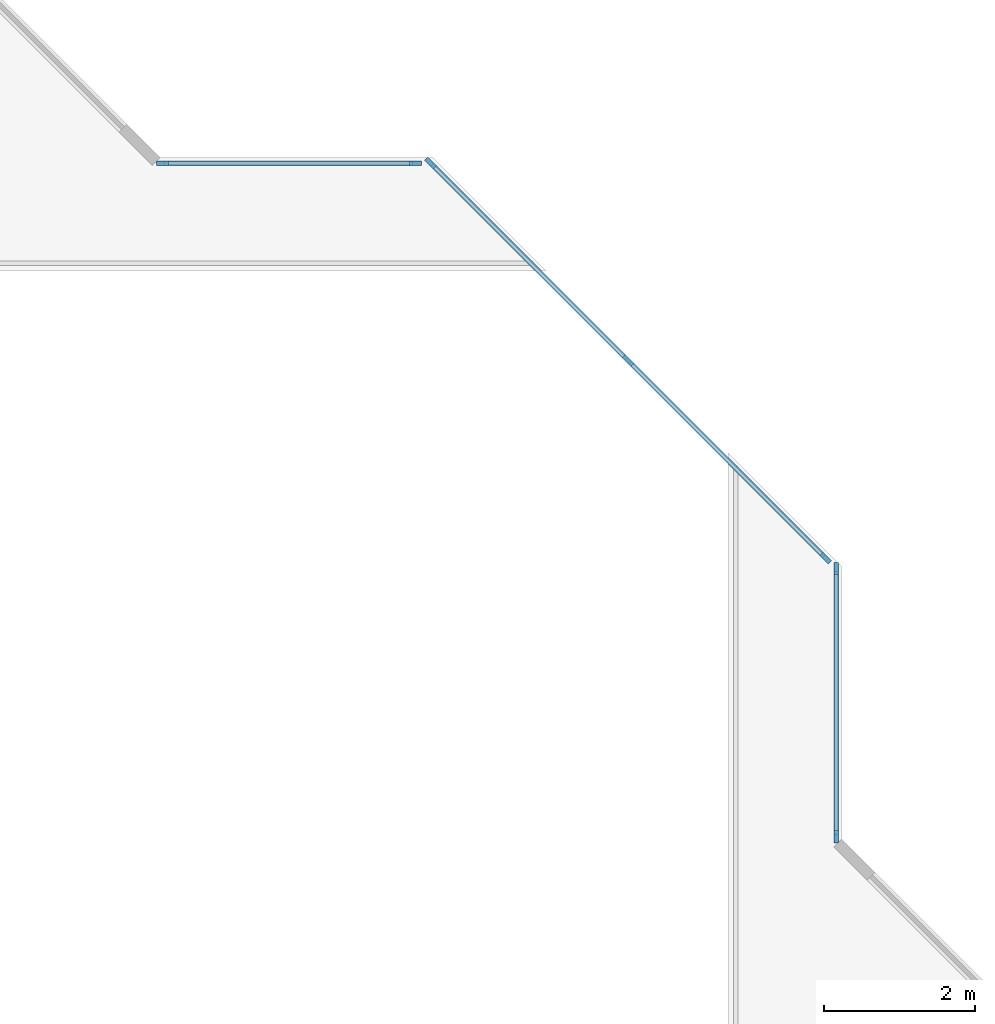
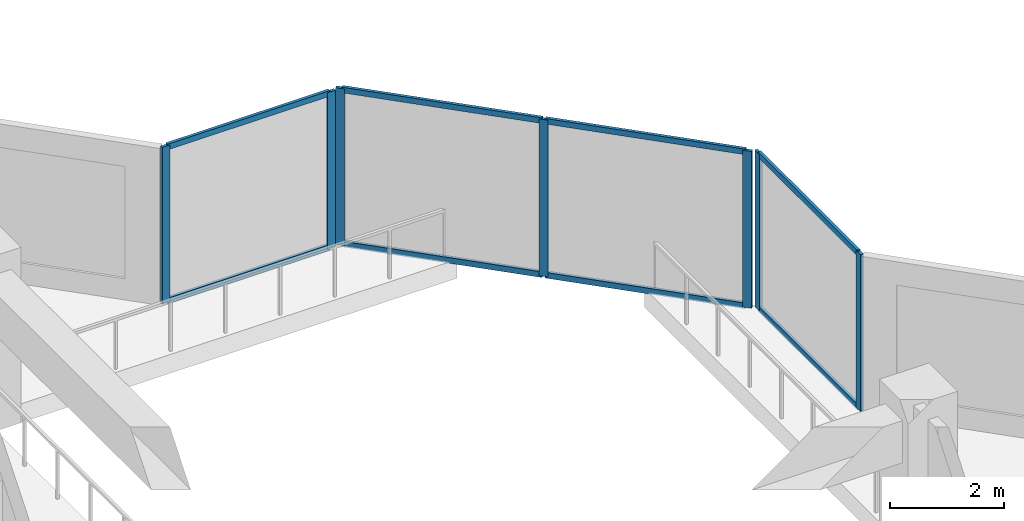
# One storey, part 2 of 15: 15 members, 3 elements without a shape of their own.
"""IFC4 building model written with IfcOpenShell, lengths in metres."""

import ifcopenshell
import ifcopenshell.guid

model = None  # the IFC model being written
_history = None  # IfcOwnerHistory: only IFC2X3 demands one
_inside = {}  # id of a spatial element -> (the spatial element, [elements in it])
_under = {}  # id of a project, library or spatial element -> (it, [spatial elements below it])
_declared = {}  # id of a project -> (the project, [libraries it declares])
_typed = {}  # id of a type object -> (the type object, [elements of that type])
_made_of = {}  # id of a material, layer set ... -> (it, [elements and type objects made of it])


def new_model(schema):
    """Start an empty IFC model of exactly this schema.

    Asked for "IFC4X3", IfcOpenShell would pick the latest addendum, in which some entities
    have other attributes; the version numbers below select the first issue.
    IFC2X3 requires an IfcOwnerHistory on every rooted entity: one is made here for all.
    """
    global model, _history
    if schema == "IFC4X3":
        model = ifcopenshell.file(schema_version=(4, 3, 0, 0))
    else:
        model = ifcopenshell.file(schema=schema)
    _inside.clear()
    _under.clear()
    _declared.clear()
    _typed.clear()
    _made_of.clear()
    _history = None
    if model.schema == "IFC2X3":
        org = make("IfcOrganization", Name="unknown")
        user = make(
            "IfcPersonAndOrganization",
            ThePerson=make("IfcPerson", FamilyName="unknown"),
            TheOrganization=org,
        )
        app = make(
            "IfcApplication",
            ApplicationDeveloper=org,
            Version="unknown",
            ApplicationFullName="unknown",
            ApplicationIdentifier="unknown",
        )
        _history = make(
            "IfcOwnerHistory",
            OwningUser=user,
            OwningApplication=app,
            ChangeAction="ADDED",
            CreationDate=0,
        )
    return model


def make(cls, **values):
    """One entity of the class cls with the attributes given. An attribute that is None is left unset."""
    return model.create_entity(
        cls, **{name: value for name, value in values.items() if value is not None}
    )


def rooted(cls, **values):
    """An entity with a GlobalId (a new one), such as an element, a storey or a relation."""
    return make(cls, GlobalId=ifcopenshell.guid.new(), OwnerHistory=_history, **values)


def si_unit(unit_type, name, prefix=None):
    """IfcSIUnit, for example si_unit("LENGTHUNIT", "METRE", prefix="MILLI")."""
    return make("IfcSIUnit", UnitType=unit_type, Prefix=prefix, Name=name)


def assignment(units):
    """IfcUnitAssignment: the units of a project."""
    return None if units is None else make("IfcUnitAssignment", Units=units)


def point(xyz):
    """IfcCartesianPoint."""
    return None if xyz is None else make("IfcCartesianPoint", Coordinates=xyz)


def direction(xyz):
    """IfcDirection."""
    return None if xyz is None else make("IfcDirection", DirectionRatios=xyz)


def frame(location, z_axis=None, x_axis=None):
    """IfcAxis2Placement3D, a coordinate frame: its origin and axes. An axis left out is left unset."""
    return make(
        "IfcAxis2Placement3D",
        Location=point(location),
        Axis=direction(z_axis),
        RefDirection=direction(x_axis),
    )


def frame_2d(location, x_axis=None):
    """IfcAxis2Placement2D, a coordinate frame in the plane: its origin and x axis."""
    return make(
        "IfcAxis2Placement2D", Location=point(location), RefDirection=direction(x_axis)
    )


def origin():
    """The frame at (0, 0, 0) with its axes left unset."""
    return frame((0.0, 0.0, 0.0))


def origin_2d():
    """The frame at (0, 0) in the plane with its x axis left unset."""
    return frame_2d((0.0, 0.0))


def place(relative_to, where):
    """IfcLocalPlacement: puts the frame where relative to a parent placement (None: the world)."""
    return make(
        "IfcLocalPlacement", PlacementRelTo=relative_to, RelativePlacement=where
    )


def context(
    kind, dimensions, precision=None, world=None, true_north=None, identifier=None
):
    """IfcGeometricRepresentationContext, for example the 3D "Model" context."""
    return make(
        "IfcGeometricRepresentationContext",
        ContextIdentifier=identifier,
        ContextType=kind,
        CoordinateSpaceDimension=dimensions,
        Precision=precision,
        WorldCoordinateSystem=world,
        TrueNorth=true_north,
    )


def subcontext(parent, identifier, kind, view, scale=None):
    """IfcGeometricRepresentationSubContext, for example "Body" below "Model"."""
    return make(
        "IfcGeometricRepresentationSubContext",
        ContextIdentifier=identifier,
        ContextType=kind,
        ParentContext=parent,
        TargetScale=scale,
        TargetView=view,
    )


def project(units=None, contexts=None):
    """IfcProject with its units and contexts."""
    return rooted(
        "IfcProject",
        Name="project",
        RepresentationContexts=contexts,
        UnitsInContext=assignment(units),
    )


def spatial(cls, under=None, at=None, **own):
    """A site, building, storey or space (cls), placed at a placement, below another one or the project."""
    s = rooted(cls, ObjectPlacement=at, **own)
    if under is not None:
        _under.setdefault(under.id(), (under, []))[1].append(s)
    return s


def profile(cls, at=None, kind="AREA", **sizes):
    """A parametric profile (cls). Its sizes go by their IFC names, for example OverallWidth=200.0."""
    return make(cls, ProfileType=kind, Position=at, **sizes)


def rectangle(**sizes):
    """IfcRectangleProfileDef."""
    return profile("IfcRectangleProfileDef", **sizes)


def extrude(swept, where, along, depth):
    """IfcExtrudedAreaSolid: the profile swept, set in the frame where, extruded along a direction by depth."""
    return make(
        "IfcExtrudedAreaSolid",
        SweptArea=swept,
        Position=where,
        ExtrudedDirection=direction(along),
        Depth=depth,
    )


def shape(context_of_items, identifier, shape_type, items):
    """IfcShapeRepresentation: the items that make up one representation, for example the "Body"."""
    return make(
        "IfcShapeRepresentation",
        ContextOfItems=context_of_items,
        RepresentationIdentifier=identifier,
        RepresentationType=shape_type,
        Items=items,
    )


def material(Name=None, Category=None):
    """IfcMaterial."""
    return make("IfcMaterial", Name=Name, Category=Category)


def layer(
    of_material, thickness, ventilated=None, Name=None, Category=None, Priority=None
):
    """IfcMaterialLayer: one layer of a wall or slab, of a material (None: an air gap)."""
    return make(
        "IfcMaterialLayer",
        Material=of_material,
        LayerThickness=thickness,
        IsVentilated=ventilated,
        Name=Name,
        Category=Category,
        Priority=Priority,
    )


def layer_set(layers, Name=None):
    """IfcMaterialLayerSet."""
    return make("IfcMaterialLayerSet", MaterialLayers=layers, LayerSetName=Name)


def material_profile(
    of_material, cross_section, Name=None, Category=None, Priority=None
):
    """IfcMaterialProfile: a cross section and its material."""
    return make(
        "IfcMaterialProfile",
        Name=Name,
        Material=of_material,
        Profile=cross_section,
        Priority=Priority,
        Category=Category,
    )


def profile_set(profiles, Name=None, composite=None):
    """IfcMaterialProfileSet."""
    return make(
        "IfcMaterialProfileSet",
        Name=Name,
        MaterialProfiles=profiles,
        CompositeProfile=composite,
    )


def made_of(thing, what):
    """Note that an element or type object is made of a material, layer set ...; save() writes the relation."""
    if what is not None:
        _made_of.setdefault(what.id(), (what, []))[1].append(thing)
    return thing


def type_object(cls, material=None, **own):
    """A type object (cls), such as IfcWallType, which elements share."""
    return made_of(rooted(cls, **own), material)


def element(
    cls,
    number,
    at=None,
    inside=None,
    cuts=None,
    type_object=None,
    material=None,
    context=None,
    identifier="Body",
    shape_type=None,
    held_by="IfcProductDefinitionShape",
    body=None,
    shapes=None,
    **own,
):
    """One element of the class cls, such as IfcWall. Its Tag is "e" and its number.

    at: its placement. inside: the storey or other place that contains it. cuts: it is an
    opening in that element (IfcRelVoidsElement). A single representation is given by context,
    identifier, shape_type and body (its items); several are given by shapes. held_by: the class
    of the entity that holds the representations. save() writes the other relations.
    """
    e = rooted(cls, Tag="e%d" % number, ObjectPlacement=at, **own)
    if body is not None:
        shapes = [shape(context, identifier, shape_type, body)]
    if shapes is not None:
        e.Representation = make(held_by, Representations=shapes)
    if inside is not None:
        _inside.setdefault(inside.id(), (inside, []))[1].append(e)
    if cuts is not None:
        rooted(
            "IfcRelVoidsElement", RelatingBuildingElement=cuts, RelatedOpeningElement=e
        )
    if type_object is not None:
        _typed.setdefault(type_object.id(), (type_object, []))[1].append(e)
    return made_of(e, material)


def aggregate(whole, parts):
    """IfcRelAggregates: a whole, such as a stair, and the parts it consists of."""
    return rooted("IfcRelAggregates", RelatingObject=whole, RelatedObjects=parts)


def save(model, path):
    """Write the relations noted so far, then the file.

    IfcRelAggregates (storeys below a building ...), IfcRelContainedInSpatialStructure (elements
    in a storey), IfcRelDefinesByType, IfcRelAssociatesMaterial and IfcRelDeclares: one each for
    every whole, place, type object, material and project.
    """
    for whole, parts in _under.values():
        aggregate(whole, parts)
    for where, things in _inside.values():
        rooted(
            "IfcRelContainedInSpatialStructure",
            RelatedElements=things,
            RelatingStructure=where,
        )
    for kind, things in _typed.values():
        rooted("IfcRelDefinesByType", RelatedObjects=things, RelatingType=kind)
    for what, things in _made_of.values():
        rooted("IfcRelAssociatesMaterial", RelatedObjects=things, RelatingMaterial=what)
    for by, libraries in _declared.values():
        rooted("IfcRelDeclares", RelatingContext=by, RelatedDefinitions=libraries)
    model.write(path)


model = new_model("IFC4")

# Units and contexts
model_context = context("Model", 3, precision=1e-05, world=origin(), true_north=direction((0.0, 1.0)))
body_context = subcontext(model_context, "Body", "Model", "MODEL_VIEW")
ifc_project = project(units=[si_unit("LENGTHUNIT", "METRE"), si_unit("AREAUNIT", "SQUARE_METRE"), si_unit("VOLUMEUNIT", "CUBIC_METRE"), si_unit("PLANEANGLEUNIT", "RADIAN"), si_unit("MASSUNIT", "GRAM", prefix="KILO")], contexts=[model_context])

# Site, building, storey
site_placement = place(None, origin())
site = spatial("IfcSite", under=ifc_project, at=site_placement, CompositionType="ELEMENT")
building_placement = place(site_placement, origin())
building = spatial("IfcBuilding", under=site, at=building_placement, Name="Chenar Terraces", CompositionType="ELEMENT")
storey_placement = place(building_placement, frame((0.0, 0.0, 125.64990234375)))
storey = spatial("IfcBuildingStorey", under=building, at=storey_placement, Name="L29", CompositionType="ELEMENT", Elevation=125.64990234375)

# Curtain wall, members
ifc_material_1 = material(Name="Aluminium framed glazing", Category="aluminium")
ifc_layer = layer(ifc_material_1, 0.14990234375)
ifc_layer_set = layer_set([ifc_layer], Name="Aluminium framed glazing")
curtain_wall_type = type_object("IfcCurtainWallType", Name="Atrium curtain wall", PredefinedType="NOTDEFINED", material=ifc_layer_set)
placement = place(storey_placement, origin())
curtain_wall_1 = element("IfcCurtainWall", 1, at=placement, inside=storey, type_object=curtain_wall_type, Name="Atrium curtain wall", PredefinedType="NOTDEFINED")
ifc_material_2 = material(Name="Aluminium", Category="aluminium")
ifc_material_profile_1 = material_profile(ifc_material_2, rectangle(XDim=0.06005859375, YDim=0.159912109375, at=origin_2d()), Name="Atrium glazing mullion 60 x 160")
ifc_profile_set_1 = profile_set([ifc_material_profile_1], Name="Aluminium")
member_type_1 = type_object("IfcMemberType", Name="Atrium glazing mullion 60 x 160", PredefinedType="MULLION", material=ifc_profile_set_1)
member_1_placement = place(storey_placement, frame((37.425048828125, 28.530029296875, 0.0), z_axis=(0.0, 0.0, 1.0), x_axis=(-1.0, 0.0, 0.0)))
member_1 = element("IfcMember", 2, at=member_1_placement, type_object=member_type_1, Name="CW1-1 mullion 1", PredefinedType="MULLION", context=body_context, shape_type="SweptSolid", body=[
    extrude(rectangle(XDim=0.06005859375, YDim=0.159912109375, at=origin_2d()), origin(), (0.0, 0.0, 1.0), 3.35009765625),
])
member_2_placement = place(storey_placement, frame((37.425048828125, 32.070068359375, 0.0), z_axis=(0.0, 0.0, 1.0), x_axis=(-1.0, 0.0, 0.0)))
member_2 = element("IfcMember", 3, at=member_2_placement, type_object=member_type_1, Name="CW1-1 mullion 2", PredefinedType="MULLION", context=body_context, shape_type="SweptSolid", body=[
    extrude(rectangle(XDim=0.06005859375, YDim=0.159912109375, at=origin_2d()), origin(), (0.0, 0.0, 1.0), 3.35009765625),
])

curtain_wall_2 = element("IfcCurtainWall", 4, at=placement, inside=storey, type_object=curtain_wall_type, Name="Atrium curtain wall", PredefinedType="NOTDEFINED")
member_3_placement = place(storey_placement, frame((37.284423828125, 32.209716796875, 0.0), z_axis=(0.0, 0.0, 1.0), x_axis=(-0.707106781187, -0.707106781187, 0.0)))
member_3 = element("IfcMember", 5, at=member_3_placement, type_object=member_type_1, Name="CW1-2 mullion 1", PredefinedType="MULLION", context=body_context, shape_type="SweptSolid", body=[
    extrude(rectangle(XDim=0.06005859375, YDim=0.159912109375, at=origin_2d()), origin(), (0.0, 0.0, 1.0), 3.35009765625),
])
member_4_placement = place(storey_placement, frame((34.67626953125, 34.817626953125, 0.0), z_axis=(0.0, 0.0, 1.0), x_axis=(-0.707106781187, -0.707106781187, 0.0)))
member_4 = element("IfcMember", 6, at=member_4_placement, type_object=member_type_1, Name="CW1-2 mullion 2", PredefinedType="MULLION", context=body_context, shape_type="SweptSolid", body=[
    extrude(rectangle(XDim=0.06005859375, YDim=0.159912109375, at=origin_2d()), origin(), (0.0, 0.0, 1.0), 3.35009765625),
])
member_5_placement = place(storey_placement, frame((32.068115234375, 37.42578125, 0.0), z_axis=(0.0, 0.0, 1.0), x_axis=(-0.707106781187, -0.707106781187, 0.0)))
member_5 = element("IfcMember", 7, at=member_5_placement, type_object=member_type_1, Name="CW1-2 mullion 3", PredefinedType="MULLION", context=body_context, shape_type="SweptSolid", body=[
    extrude(rectangle(XDim=0.06005859375, YDim=0.159912109375, at=origin_2d()), origin(), (0.0, 0.0, 1.0), 3.35009765625),
])

curtain_wall_3 = element("IfcCurtainWall", 8, at=placement, inside=storey, type_object=curtain_wall_type, Name="Atrium curtain wall", PredefinedType="NOTDEFINED")
member_6_placement = place(storey_placement, frame((31.8701171875, 37.425048828125, 0.0), z_axis=(0.0, 0.0, 1.0), x_axis=(0.0, -1.0, 0.0)))
member_6 = element("IfcMember", 9, at=member_6_placement, type_object=member_type_1, Name="CW1-3 mullion 1", PredefinedType="MULLION", context=body_context, shape_type="SweptSolid", body=[
    extrude(rectangle(XDim=0.06005859375, YDim=0.159912109375, at=origin_2d()), origin(), (0.0, 0.0, 1.0), 3.35009765625),
])
member_7_placement = place(storey_placement, frame((28.530029296875, 37.425048828125, 0.0), z_axis=(0.0, 0.0, 1.0), x_axis=(0.0, -1.0, 0.0)))
member_7 = element("IfcMember", 10, at=member_7_placement, type_object=member_type_1, Name="CW1-3 mullion 2", PredefinedType="MULLION", context=body_context, shape_type="SweptSolid", body=[
    extrude(rectangle(XDim=0.06005859375, YDim=0.159912109375, at=origin_2d()), origin(), (0.0, 0.0, 1.0), 3.35009765625),
])

# Member
ifc_material_3 = material(Name="Aluminium", Category="aluminium")
ifc_material_profile_2 = material_profile(ifc_material_3, rectangle(XDim=0.06005859375, YDim=0.1201171875, at=origin_2d()), Name="Atrium glazing transom 60 x 120")
ifc_profile_set_2 = profile_set([ifc_material_profile_2], Name="Aluminium")
member_type_2 = type_object("IfcMemberType", Name="Atrium glazing transom 60 x 120", PredefinedType="USERDEFINED", material=ifc_profile_set_2)
member_8_placement = place(storey_placement, frame((37.425048828125, 28.56005859375, 0.030029296875), z_axis=(0.0, 1.0, 0.0), x_axis=(-1.0, 0.0, 0.0)))
member_8 = element("IfcMember", 11, at=member_8_placement, type_object=member_type_2, Name="CW1-1 transom 1.1", ObjectType="TRANSOM", PredefinedType="USERDEFINED", context=body_context, shape_type="SweptSolid", body=[
    extrude(rectangle(XDim=0.06005859375, YDim=0.1201171875, at=origin_2d()), origin(), (0.0, 0.0, 1.0), 3.47998046875),
])

member_9_placement = place(storey_placement, frame((37.425048828125, 28.56005859375, 3.320068359375), z_axis=(0.0, 1.0, 0.0), x_axis=(-1.0, 0.0, 0.0)))
member_9 = element("IfcMember", 12, at=member_9_placement, type_object=member_type_2, Name="CW1-1 transom 1.2", ObjectType="TRANSOM", PredefinedType="USERDEFINED", context=body_context, shape_type="SweptSolid", body=[
    extrude(rectangle(XDim=0.06005859375, YDim=0.1201171875, at=origin_2d()), origin(), (0.0, 0.0, 1.0), 3.47998046875),
])

aggregate(curtain_wall_1, [member_1, member_2, member_8, member_9])

member_10_placement = place(storey_placement, frame((37.26318359375, 32.230712890625, 0.030029296875), z_axis=(-0.707106781187, 0.707106781187, 0.0), x_axis=(-0.707106781187, -0.707106781187, 0.0)))
member_10 = element("IfcMember", 13, at=member_10_placement, type_object=member_type_2, Name="CW1-2 transom 1.1", ObjectType="TRANSOM", PredefinedType="USERDEFINED", context=body_context, shape_type="SweptSolid", body=[
    extrude(rectangle(XDim=0.06005859375, YDim=0.1201171875, at=origin_2d()), origin(), (0.0, 0.0, 1.0), 3.62841796875),
])

member_11_placement = place(storey_placement, frame((37.26318359375, 32.230712890625, 3.320068359375), z_axis=(-0.707106781187, 0.707106781187, 0.0), x_axis=(-0.707106781187, -0.707106781187, 0.0)))
member_11 = element("IfcMember", 14, at=member_11_placement, type_object=member_type_2, Name="CW1-2 transom 1.2", ObjectType="TRANSOM", PredefinedType="USERDEFINED", context=body_context, shape_type="SweptSolid", body=[
    extrude(rectangle(XDim=0.06005859375, YDim=0.1201171875, at=origin_2d()), origin(), (0.0, 0.0, 1.0), 3.62841796875),
])

member_12_placement = place(storey_placement, frame((34.655029296875, 34.8388671875, 0.030029296875), z_axis=(-0.707106781187, 0.707106781187, 0.0), x_axis=(-0.707106781187, -0.707106781187, 0.0)))
member_12 = element("IfcMember", 15, at=member_12_placement, type_object=member_type_2, Name="CW1-2 transom 2.1", ObjectType="TRANSOM", PredefinedType="USERDEFINED", context=body_context, shape_type="SweptSolid", body=[
    extrude(rectangle(XDim=0.06005859375, YDim=0.1201171875, at=origin_2d()), origin(), (0.0, 0.0, 1.0), 3.62841796875),
])

member_13_placement = place(storey_placement, frame((34.655029296875, 34.8388671875, 3.320068359375), z_axis=(-0.707106781187, 0.707106781187, 0.0), x_axis=(-0.707106781187, -0.707106781187, 0.0)))
member_13 = element("IfcMember", 16, at=member_13_placement, type_object=member_type_2, Name="CW1-2 transom 2.2", ObjectType="TRANSOM", PredefinedType="USERDEFINED", context=body_context, shape_type="SweptSolid", body=[
    extrude(rectangle(XDim=0.06005859375, YDim=0.1201171875, at=origin_2d()), origin(), (0.0, 0.0, 1.0), 3.62841796875),
])

aggregate(curtain_wall_2, [member_3, member_4, member_5, member_10, member_11, member_12, member_13])

member_14_placement = place(storey_placement, frame((31.840087890625, 37.425048828125, 0.030029296875), z_axis=(-1.0, 0.0, 0.0), x_axis=(0.0, -1.0, 0.0)))
member_14 = element("IfcMember", 17, at=member_14_placement, type_object=member_type_2, Name="CW1-3 transom 1.1", ObjectType="TRANSOM", PredefinedType="USERDEFINED", context=body_context, shape_type="SweptSolid", body=[
    extrude(rectangle(XDim=0.06005859375, YDim=0.1201171875, at=origin_2d()), origin(), (0.0, 0.0, 1.0), 3.280029296875),
])

member_15_placement = place(storey_placement, frame((31.840087890625, 37.425048828125, 3.320068359375), z_axis=(-1.0, 0.0, 0.0), x_axis=(0.0, -1.0, 0.0)))
member_15 = element("IfcMember", 18, at=member_15_placement, type_object=member_type_2, Name="CW1-3 transom 1.2", ObjectType="TRANSOM", PredefinedType="USERDEFINED", context=body_context, shape_type="SweptSolid", body=[
    extrude(rectangle(XDim=0.06005859375, YDim=0.1201171875, at=origin_2d()), origin(), (0.0, 0.0, 1.0), 3.280029296875),
])

aggregate(curtain_wall_3, [member_6, member_7, member_14, member_15])

save(model, "model.ifc")
